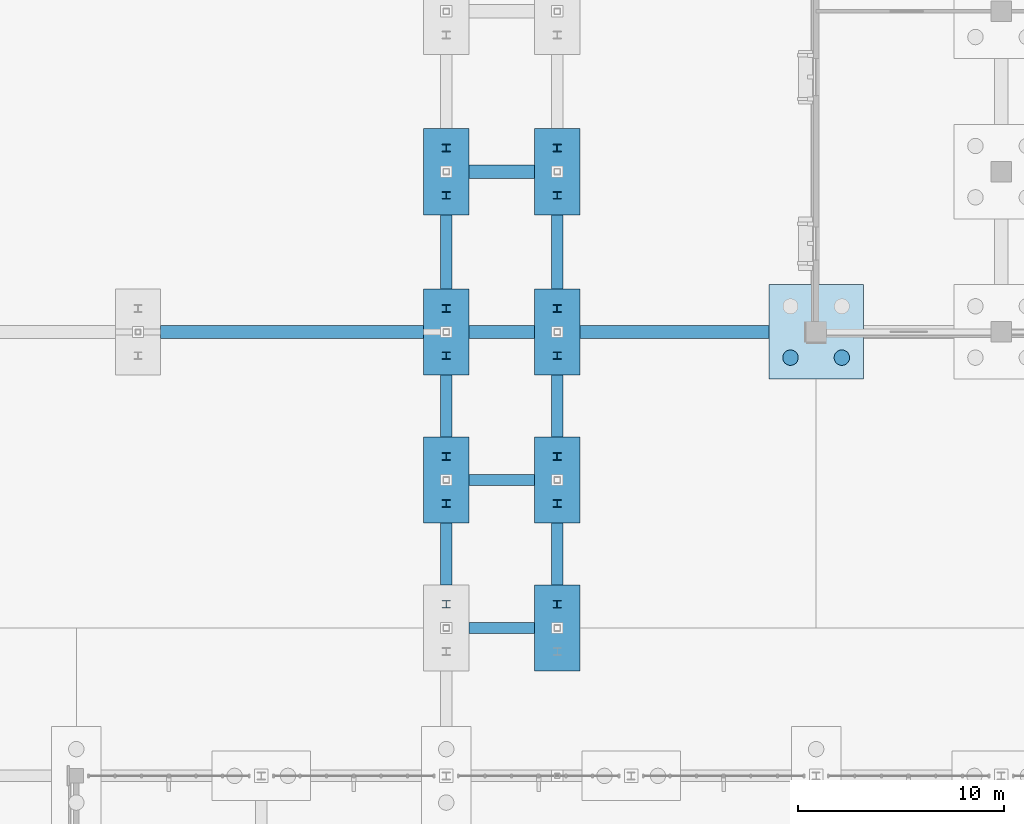
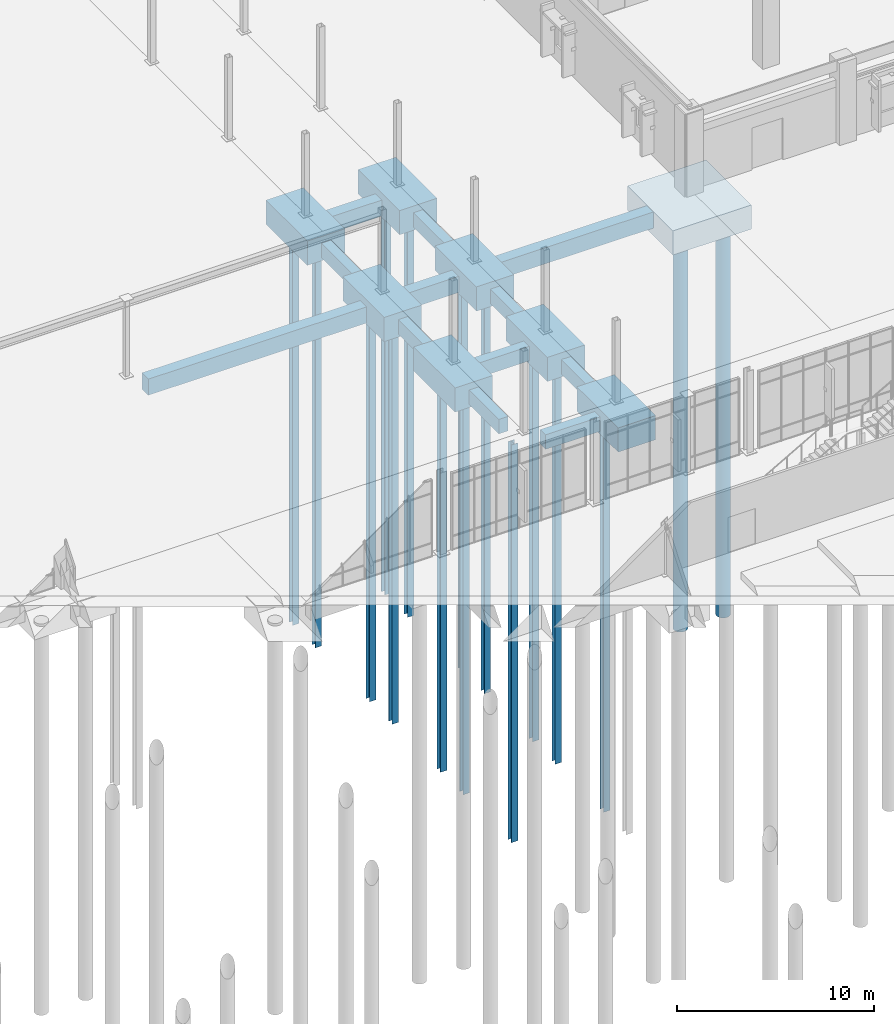
# One storey, part 6 of 94: 20 footings, 16 piles.
"""IFC4 building model written with IfcOpenShell, lengths in metres."""

from ifc_helpers import new_model, si_unit, direction, frame, origin, origin_2d, place, context, subcontext, project, spatial, rectangle, circle, i_section, extrude, material, material_profile, profile_set, type_object, element, save


model = new_model("IFC4")

# Units and contexts
model_context = context("Model", 3, precision=1e-05, world=origin(), true_north=direction((0.0, 1.0)))
body_context = subcontext(model_context, "Body", "Model", "MODEL_VIEW")
ifc_project = project(units=[si_unit("LENGTHUNIT", "METRE"), si_unit("AREAUNIT", "SQUARE_METRE"), si_unit("VOLUMEUNIT", "CUBIC_METRE"), si_unit("PLANEANGLEUNIT", "RADIAN"), si_unit("MASSUNIT", "GRAM", prefix="KILO")], contexts=[model_context])

# Site, building, storey
site_placement = place(None, origin())
site = spatial("IfcSite", under=ifc_project, at=site_placement, CompositionType="ELEMENT")
building_placement = place(site_placement, origin())
building = spatial("IfcBuilding", under=site, at=building_placement, Name="Vervanel Yard Central Library", CompositionType="ELEMENT")
storey_placement = place(building_placement, origin())
storey = spatial("IfcBuildingStorey", under=building, at=storey_placement, Name="L00", CompositionType="ELEMENT", Elevation=0.0)

# Piles
ifc_material_1 = material(Name="Concrete C40/50", Category="concrete")
ifc_material_profile_1 = material_profile(ifc_material_1, circle(Radius=0.375, at=origin_2d()), Name="BP D750", Category="concrete")
ifc_profile_set_1 = profile_set([ifc_material_profile_1], Name="Concrete C40/50")
pile_type_1 = type_object("IfcPileType", Name="Bored Concrete Pile D750", PredefinedType="BORED", material=ifc_profile_set_1)
for number, where, z_axis, x_axis, name in (
    (1, (88.75, 41.949951171875, -1.75), (0.0, 0.0, -1.0), (1.0, 0.0, 0.0), "Bored Concrete Pile 277 under PCAP-068"),
    (2, (91.25, 41.949951171875, -1.75), (0.0, 0.0, -1.0), (1.0, 0.0, 0.0), "Bored Concrete Pile 278 under PCAP-068"),
):
    element("IfcPile", number, at=place(storey_placement, frame(where, z_axis=z_axis, x_axis=x_axis)), inside=storey, type_object=pile_type_1, Name=name, PredefinedType="BORED", context=body_context, shape_type="SweptSolid", body=[
        extrude(circle(Radius=0.375, at=origin_2d()), origin(), (0.0, 0.0, 1.0), 24.25),
    ])

# Footings
footing_type_1 = type_object("IfcFootingType", Name="Bridge Pier 2-Pile Cap 2200x4200x1500", PredefinedType="PILE_CAP", material=ifc_material_1)
for number, where, z_axis, x_axis, name in (
    (3, (72.0, 36.0, -1.50390625), (0.0, 0.0, 1.0), (1.0, 0.0, 0.0), "Combined Pile Cap PCAP-204 (PC-06)"),
    (4, (72.0, 43.199951171875, -1.50390625), (0.0, 0.0, 1.0), (1.0, 0.0, 0.0), "Combined Pile Cap PCAP-205 (PC-06)"),
    (5, (72.0, 51.0, -1.50390625), (0.0, 0.0, 1.0), (1.0, 0.0, 0.0), "Combined Pile Cap PCAP-206 (PC-06)"),
    (6, (77.39990234375, 28.800048828125, -1.50390625), (0.0, 0.0, 1.0), (1.0, 0.0, 0.0), "Combined Pile Cap PCAP-210 (PC-06)"),
    (7, (77.39990234375, 36.0, -1.50390625), (0.0, 0.0, 1.0), (1.0, 0.0, 0.0), "Combined Pile Cap PCAP-211 (PC-06)"),
    (8, (77.39990234375, 43.199951171875, -1.50390625), (0.0, 0.0, 1.0), (1.0, 0.0, 0.0), "Combined Pile Cap PCAP-212 (PC-06)"),
    (9, (77.39990234375, 51.0, -1.50390625), (0.0, 0.0, 1.0), (1.0, 0.0, 0.0), "Combined Pile Cap PCAP-213 (PC-06)"),
):
    element("IfcFooting", number, at=place(storey_placement, frame(where, z_axis=z_axis, x_axis=x_axis)), inside=storey, type_object=footing_type_1, Name=name, PredefinedType="PILE_CAP", context=body_context, shape_type="SweptSolid", body=[
        extrude(rectangle(XDim=2.199951171875, YDim=4.199951171875, at=origin_2d()), origin(), (0.0, 0.0, 1.0), 1.5),
    ])
footing_type_2 = type_object("IfcFootingType", Name="Combined 4-Pile Cap 4600x4600x1500", PredefinedType="PILE_CAP", material=ifc_material_1)
footing_1_placement = place(storey_placement, frame((90.0, 43.199951171875, -1.89990234375), z_axis=(0.0, 0.0, 1.0), x_axis=(1.0, 0.0, 0.0)))
element("IfcFooting", 10, at=footing_1_placement, inside=storey, type_object=footing_type_2, Name="Combined Pile Cap PCAP-068 (PC-03)", PredefinedType="PILE_CAP", context=body_context, shape_type="SweptSolid", body=[
    extrude(rectangle(XDim=4.60009765625, YDim=4.60009765625, at=origin_2d()), origin(), (0.0, 0.0, 1.0), 1.5),
])
ifc_material_profile_2 = material_profile(ifc_material_1, rectangle(XDim=0.550048828125, YDim=0.89990234375, at=origin_2d()), Name="RC 550x900", Category="concrete")
ifc_profile_set_2 = profile_set([ifc_material_profile_2], Name="Concrete C40/50")
footing_type_3 = type_object("IfcFootingType", Name="Concrete Footing Beam 550x900", PredefinedType="FOOTING_BEAM", material=ifc_profile_set_2)
for number, where, z_axis, x_axis, name in (
    (11, (73.10009765625, 28.800048828125, -0.8701171875), (1.0, 0.0, 0.0), (0.0, 1.0, 0.0), "Concrete Footing Beam FB-X-033"),
    (12, (73.10009765625, 36.0, -0.8701171875), (1.0, 0.0, 0.0), (0.0, 1.0, 0.0), "Concrete Footing Beam FB-X-039"),
):
    element("IfcFooting", number, at=place(storey_placement, frame(where, z_axis=z_axis, x_axis=x_axis)), inside=storey, type_object=footing_type_3, Name=name, PredefinedType="FOOTING_BEAM", context=body_context, shape_type="SweptSolid", body=[
        extrude(rectangle(XDim=0.550048828125, YDim=0.89990234375, at=origin_2d()), origin(), (0.0, 0.0, 1.0), 3.199951171875),
    ])
for number, where, z_axis, x_axis, name in (
    (13, (72.0, 30.89990234375, -0.8701171875), (0.0, 1.0, 0.0), (-1.0, 0.0, 0.0), "Concrete Footing Beam FB-Y-216"),
    (14, (72.0, 38.10009765625, -0.8701171875), (0.0, 1.0, 0.0), (-1.0, 0.0, 0.0), "Concrete Footing Beam FB-Y-217"),
):
    element("IfcFooting", number, at=place(storey_placement, frame(where, z_axis=z_axis, x_axis=x_axis)), inside=storey, type_object=footing_type_3, Name=name, PredefinedType="FOOTING_BEAM", context=body_context, shape_type="SweptSolid", body=[
        extrude(rectangle(XDim=0.550048828125, YDim=0.89990234375, at=origin_2d()), origin(), (0.0, 0.0, 1.0), 3.0),
    ])
footing_2_placement = place(storey_placement, frame((72.0, 45.300048828125, -0.8701171875), z_axis=(0.0, 1.0, 0.0), x_axis=(-1.0, 0.0, 0.0)))
element("IfcFooting", 15, at=footing_2_placement, inside=storey, type_object=footing_type_3, Name="Concrete Footing Beam FB-Y-218", PredefinedType="FOOTING_BEAM", context=body_context, shape_type="SweptSolid", body=[
    extrude(rectangle(XDim=0.550048828125, YDim=0.89990234375, at=origin_2d()), origin(), (0.0, 0.0, 1.0), 3.599853515625),
])
for number, where, z_axis, x_axis, name in (
    (16, (77.39990234375, 30.89990234375, -0.8701171875), (0.0, 1.0, 0.0), (-1.0, 0.0, 0.0), "Concrete Footing Beam FB-Y-225"),
    (17, (77.39990234375, 38.10009765625, -0.8701171875), (0.0, 1.0, 0.0), (-1.0, 0.0, 0.0), "Concrete Footing Beam FB-Y-226"),
):
    element("IfcFooting", number, at=place(storey_placement, frame(where, z_axis=z_axis, x_axis=x_axis)), inside=storey, type_object=footing_type_3, Name=name, PredefinedType="FOOTING_BEAM", context=body_context, shape_type="SweptSolid", body=[
        extrude(rectangle(XDim=0.550048828125, YDim=0.89990234375, at=origin_2d()), origin(), (0.0, 0.0, 1.0), 3.0),
    ])
footing_3_placement = place(storey_placement, frame((77.39990234375, 45.300048828125, -0.8701171875), z_axis=(0.0, 1.0, 0.0), x_axis=(-1.0, 0.0, 0.0)))
element("IfcFooting", 18, at=footing_3_placement, inside=storey, type_object=footing_type_3, Name="Concrete Footing Beam FB-Y-227", PredefinedType="FOOTING_BEAM", context=body_context, shape_type="SweptSolid", body=[
    extrude(rectangle(XDim=0.550048828125, YDim=0.89990234375, at=origin_2d()), origin(), (0.0, 0.0, 1.0), 3.599853515625),
])
ifc_material_profile_3 = material_profile(ifc_material_1, rectangle(XDim=0.64990234375, YDim=1.0, at=origin_2d()), Name="RC 650x1000", Category="concrete")
ifc_profile_set_3 = profile_set([ifc_material_profile_3], Name="Concrete C40/50")
footing_type_4 = type_object("IfcFootingType", Name="Concrete Footing Beam 650x1000", PredefinedType="FOOTING_BEAM", material=ifc_profile_set_3)
footing_4_placement = place(storey_placement, frame((58.10009765625, 43.199951171875, -0.919921875), z_axis=(1.0, 0.0, 0.0), x_axis=(0.0, 1.0, 0.0)))
element("IfcFooting", 19, at=footing_4_placement, inside=storey, type_object=footing_type_4, Name="Concrete Footing Beam FB-X-048", PredefinedType="FOOTING_BEAM", context=body_context, shape_type="SweptSolid", body=[
    extrude(rectangle(XDim=0.64990234375, YDim=1.0, at=origin_2d()), origin(), (0.0, 0.0, 1.0), 12.7998046875),
])
footing_5_placement = place(storey_placement, frame((73.10009765625, 43.199951171875, -0.919921875), z_axis=(1.0, 0.0, 0.0), x_axis=(0.0, 1.0, 0.0)))
element("IfcFooting", 20, at=footing_5_placement, inside=storey, type_object=footing_type_4, Name="Concrete Footing Beam FB-X-049", PredefinedType="FOOTING_BEAM", context=body_context, shape_type="SweptSolid", body=[
    extrude(rectangle(XDim=0.64990234375, YDim=1.0, at=origin_2d()), origin(), (0.0, 0.0, 1.0), 3.199951171875),
])
footing_6_placement = place(storey_placement, frame((78.5, 43.199951171875, -0.919921875), z_axis=(1.0, 0.0, 0.0), x_axis=(0.0, 1.0, 0.0)))
element("IfcFooting", 21, at=footing_6_placement, inside=storey, type_object=footing_type_4, Name="Concrete Footing Beam FB-X-050", PredefinedType="FOOTING_BEAM", context=body_context, shape_type="SweptSolid", body=[
    extrude(rectangle(XDim=0.64990234375, YDim=1.0, at=origin_2d()), origin(), (0.0, 0.0, 1.0), 9.199951171875),
])
footing_7_placement = place(storey_placement, frame((73.10009765625, 51.0, -0.919921875), z_axis=(1.0, 0.0, 0.0), x_axis=(0.0, 1.0, 0.0)))
element("IfcFooting", 22, at=footing_7_placement, inside=storey, type_object=footing_type_4, Name="Concrete Footing Beam FB-X-057", PredefinedType="FOOTING_BEAM", context=body_context, shape_type="SweptSolid", body=[
    extrude(rectangle(XDim=0.64990234375, YDim=1.0, at=origin_2d()), origin(), (0.0, 0.0, 1.0), 3.199951171875),
])

# Piles
ifc_material_2 = material(Name="Steel ASTM A992 Grade 50", Category="steel")
ifc_material_profile_4 = material_profile(ifc_material_2, i_section(OverallWidth=0.37841796875, OverallDepth=0.360595703125, WebThickness=0.0205078125, FlangeThickness=0.0205078125, at=origin_2d()), Name="HP14X117", Category="steel")
ifc_profile_set_4 = profile_set([ifc_material_profile_4], Name="Steel ASTM A992 Grade 50")
pile_type_2 = type_object("IfcPileType", Name="Driven Steel H-Pile HP14X117", PredefinedType="DRIVEN", material=ifc_profile_set_4)
for number, where, z_axis, x_axis, name in (
    (23, (72.0, 29.949951171875, -26.0), (0.0, 0.0, 1.0), (1.0, 0.0, 0.0), "Driven Steel Pile 612 under PCAP-203"),
    (24, (72.0, 37.14990234375, -26.0), (0.0, 0.0, 1.0), (1.0, 0.0, 0.0), "Driven Steel Pile 614 under PCAP-204"),
    (25, (72.0, 44.35009765625, -26.0), (0.0, 0.0, 1.0), (1.0, 0.0, 0.0), "Driven Steel Pile 616 under PCAP-205"),
    (26, (72.0, 52.14990234375, -26.0), (0.0, 0.0, 1.0), (1.0, 0.0, 0.0), "Driven Steel Pile 618 under PCAP-206"),
    (27, (77.39990234375, 29.949951171875, -26.0), (0.0, 0.0, 1.0), (1.0, 0.0, 0.0), "Driven Steel Pile 626 under PCAP-210"),
    (28, (77.39990234375, 37.14990234375, -26.0), (0.0, 0.0, 1.0), (1.0, 0.0, 0.0), "Driven Steel Pile 628 under PCAP-211"),
    (29, (77.39990234375, 44.35009765625, -26.0), (0.0, 0.0, 1.0), (1.0, 0.0, 0.0), "Driven Steel Pile 630 under PCAP-212"),
    (30, (77.39990234375, 52.14990234375, -26.0), (0.0, 0.0, 1.0), (1.0, 0.0, 0.0), "Driven Steel Pile 632 under PCAP-213"),
):
    element("IfcPile", number, at=place(storey_placement, frame(where, z_axis=z_axis, x_axis=x_axis)), inside=storey, type_object=pile_type_2, Name=name, PredefinedType="DRIVEN", context=body_context, shape_type="SweptSolid", body=[
        extrude(i_section(OverallWidth=0.37841796875, OverallDepth=0.360595703125, WebThickness=0.0205078125, FlangeThickness=0.0205078125, at=origin_2d()), origin(), (0.0, 0.0, 1.0), 24.64599609375),
    ])
ifc_material_profile_5 = material_profile(ifc_material_2, i_section(OverallWidth=0.373291015625, OverallDepth=0.3505859375, WebThickness=0.015625, FlangeThickness=0.015625, at=origin_2d()), Name="HP14X89", Category="steel")
ifc_profile_set_5 = profile_set([ifc_material_profile_5], Name="Steel ASTM A992 Grade 50")
pile_type_3 = type_object("IfcPileType", Name="Driven Steel H-Pile HP14X89", PredefinedType="DRIVEN", material=ifc_profile_set_5)
for number, where, z_axis, x_axis, name in (
    (31, (72.0, 34.85009765625, -26.0), (0.0, 0.0, 1.0), (1.0, 0.0, 0.0), "Driven Steel Pile 613 under PCAP-204"),
    (32, (72.0, 42.050048828125, -26.0), (0.0, 0.0, 1.0), (1.0, 0.0, 0.0), "Driven Steel Pile 615 under PCAP-205"),
    (33, (72.0, 49.85009765625, -26.0), (0.0, 0.0, 1.0), (1.0, 0.0, 0.0), "Driven Steel Pile 617 under PCAP-206"),
    (34, (77.39990234375, 34.85009765625, -26.0), (0.0, 0.0, 1.0), (1.0, 0.0, 0.0), "Driven Steel Pile 627 under PCAP-211"),
    (35, (77.39990234375, 42.050048828125, -26.0), (0.0, 0.0, 1.0), (1.0, 0.0, 0.0), "Driven Steel Pile 629 under PCAP-212"),
    (36, (77.39990234375, 49.85009765625, -26.0), (0.0, 0.0, 1.0), (1.0, 0.0, 0.0), "Driven Steel Pile 631 under PCAP-213"),
):
    element("IfcPile", number, at=place(storey_placement, frame(where, z_axis=z_axis, x_axis=x_axis)), inside=storey, type_object=pile_type_3, Name=name, PredefinedType="DRIVEN", context=body_context, shape_type="SweptSolid", body=[
        extrude(i_section(OverallWidth=0.373291015625, OverallDepth=0.3505859375, WebThickness=0.015625, FlangeThickness=0.015625, at=origin_2d()), origin(), (0.0, 0.0, 1.0), 24.64599609375),
    ])

save(model, "model.ifc")
